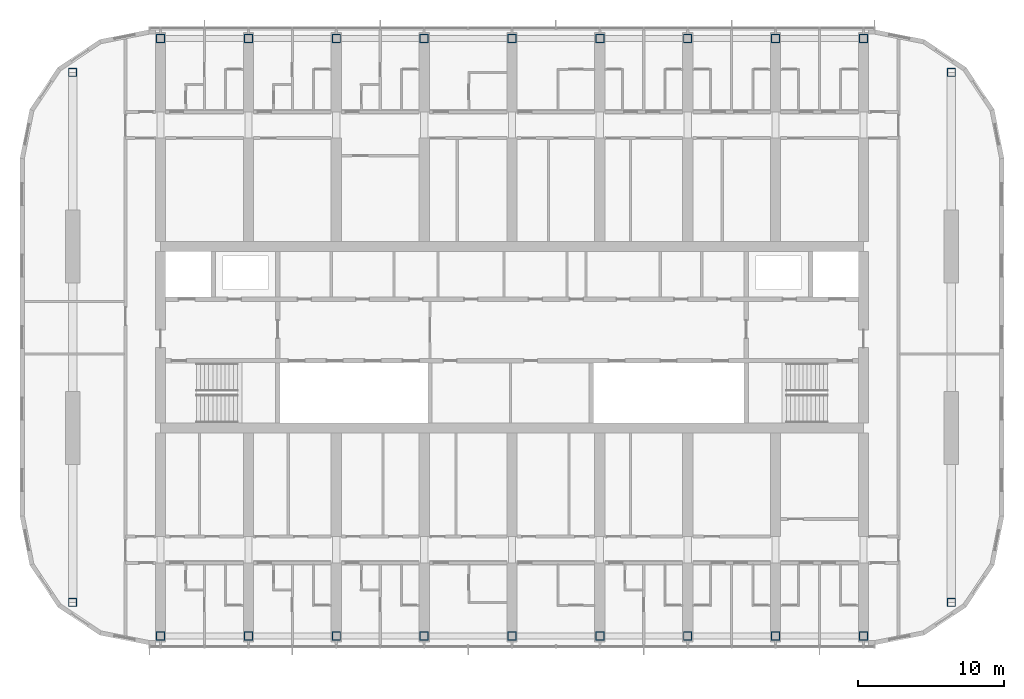
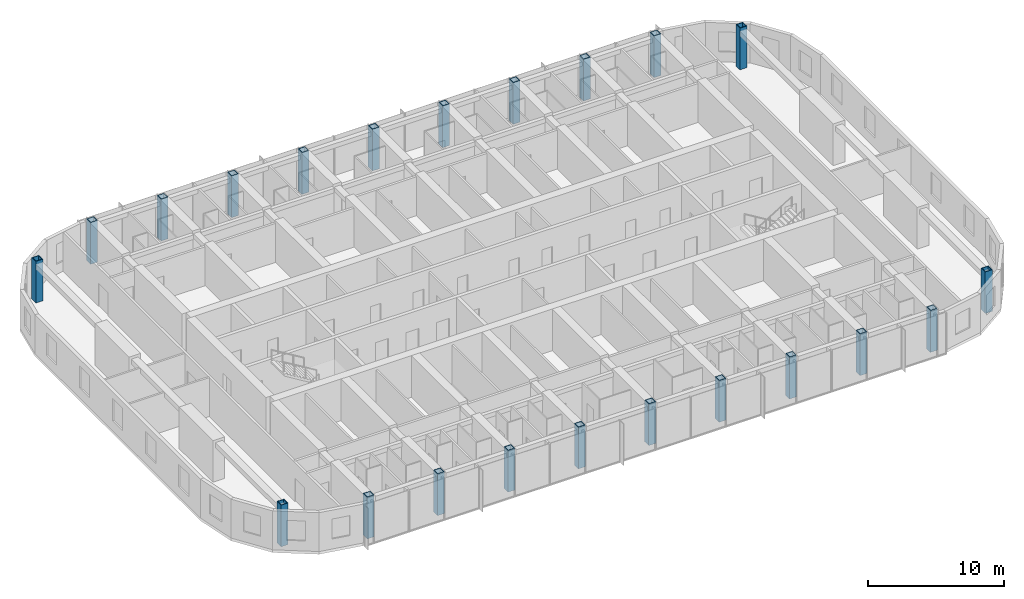
# One storey, part 1 of 24: 22 columns.
"""IFC4 building model written with IfcOpenShell, lengths in metres."""

from ifc_helpers import new_model, si_unit, direction, frame, origin, origin_2d, place, context, subcontext, project, spatial, hollow_rectangle, extrude, material, material_profile, profile_set, type_object, element, save


model = new_model("IFC4")

# Units and contexts
model_context = context("Model", 3, precision=1e-05, world=origin(), true_north=direction((0.0, 1.0)))
body_context = subcontext(model_context, "Body", "Model", "MODEL_VIEW")
ifc_project = project(units=[si_unit("LENGTHUNIT", "METRE"), si_unit("AREAUNIT", "SQUARE_METRE"), si_unit("VOLUMEUNIT", "CUBIC_METRE"), si_unit("PLANEANGLEUNIT", "RADIAN"), si_unit("MASSUNIT", "GRAM", prefix="KILO")], contexts=[model_context])

# Site, building, storey
site_placement = place(None, origin())
site = spatial("IfcSite", under=ifc_project, at=site_placement, CompositionType="ELEMENT")
building_placement = place(site_placement, origin())
building = spatial("IfcBuilding", under=site, at=building_placement, Name="Orbita Commons", CompositionType="ELEMENT")
storey_placement = place(building_placement, frame((0.0, 0.0, 239.050048828125)))
storey = spatial("IfcBuildingStorey", under=building, at=storey_placement, Name="L59", CompositionType="ELEMENT", Elevation=239.050048828125)

# Columns
ifc_material = material(Name="Steel ASTM A572 Gr 50 welded plate", Category="steel")
ifc_material_profile = material_profile(ifc_material, hollow_rectangle(XDim=0.60009765625, YDim=0.60009765625, WallThickness=0.06005859375, at=origin_2d()), Name="BOX 600x600x60")
ifc_profile_set = profile_set([ifc_material_profile], Name="Steel ASTM A572 Gr 50 welded plate")
column_type = type_object("IfcColumnType", Name="Steel column BOX 600x600x60", PredefinedType="COLUMN", material=ifc_profile_set)
for number, where, z_axis, x_axis, name in (
    (1, (18.0, 11.60009765625, 0.0), (0.0, 0.0, 1.0), (1.0, 0.0, 0.0), "Column 4/B L59"),
    (2, (18.0, 52.39990234375, 0.0), (0.0, 0.0, 1.0), (1.0, 0.0, 0.0), "Column 4/E L59"),
    (3, (24.0, 11.60009765625, 0.0), (0.0, 0.0, 1.0), (1.0, 0.0, 0.0), "Column 5/B L59"),
    (4, (24.0, 52.39990234375, 0.0), (0.0, 0.0, 1.0), (1.0, 0.0, 0.0), "Column 5/E L59"),
    (5, (30.0, 11.60009765625, 0.0), (0.0, 0.0, 1.0), (1.0, 0.0, 0.0), "Column 6/B L59"),
    (6, (30.0, 52.39990234375, 0.0), (0.0, 0.0, 1.0), (1.0, 0.0, 0.0), "Column 6/E L59"),
    (7, (36.0, 11.60009765625, 0.0), (0.0, 0.0, 1.0), (1.0, 0.0, 0.0), "Column 7/B L59"),
    (8, (36.0, 52.39990234375, 0.0), (0.0, 0.0, 1.0), (1.0, 0.0, 0.0), "Column 7/E L59"),
    (9, (42.0, 11.60009765625, 0.0), (0.0, 0.0, 1.0), (1.0, 0.0, 0.0), "Column 8/B L59"),
    (10, (42.0, 52.39990234375, 0.0), (0.0, 0.0, 1.0), (1.0, 0.0, 0.0), "Column 8/E L59"),
    (11, (48.0, 11.60009765625, 0.0), (0.0, 0.0, 1.0), (1.0, 0.0, 0.0), "Column 9/B L59"),
    (12, (48.0, 52.39990234375, 0.0), (0.0, 0.0, 1.0), (1.0, 0.0, 0.0), "Column 9/E L59"),
    (13, (54.0, 11.60009765625, 0.0), (0.0, 0.0, 1.0), (1.0, 0.0, 0.0), "Column 10/B L59"),
    (14, (54.0, 52.39990234375, 0.0), (0.0, 0.0, 1.0), (1.0, 0.0, 0.0), "Column 10/E L59"),
    (15, (60.0, 11.60009765625, 0.0), (0.0, 0.0, 1.0), (1.0, 0.0, 0.0), "Column 11/B L59"),
    (16, (60.0, 52.39990234375, 0.0), (0.0, 0.0, 1.0), (1.0, 0.0, 0.0), "Column 11/E L59"),
    (17, (66.0, 11.60009765625, 0.0), (0.0, 0.0, 1.0), (1.0, 0.0, 0.0), "Column 12/B L59"),
    (18, (66.0, 52.39990234375, 0.0), (0.0, 0.0, 1.0), (1.0, 0.0, 0.0), "Column 12/E L59"),
    (19, (12.0, 13.89990234375, 0.0), (0.0, 0.0, 1.0), (1.0, 0.0, 0.0), "Column 3/13.9 L59"),
    (20, (12.0, 50.10009765625, 0.0), (0.0, 0.0, 1.0), (1.0, 0.0, 0.0), "Column 3/50.1 L59"),
    (21, (72.0, 13.89990234375, 0.0), (0.0, 0.0, 1.0), (1.0, 0.0, 0.0), "Column 13/13.9 L59"),
    (22, (72.0, 50.10009765625, 0.0), (0.0, 0.0, 1.0), (1.0, 0.0, 0.0), "Column 13/50.1 L59"),
):
    element("IfcColumn", number, at=place(storey_placement, frame(where, z_axis=z_axis, x_axis=x_axis)), inside=storey, type_object=column_type, Name=name, PredefinedType="COLUMN", context=body_context, shape_type="SweptSolid", body=[
        extrude(hollow_rectangle(XDim=0.60009765625, YDim=0.60009765625, WallThickness=0.06005859375, at=origin_2d()), origin(), (0.0, 0.0, 1.0), 3.75),
    ])

save(model, "model.ifc")
